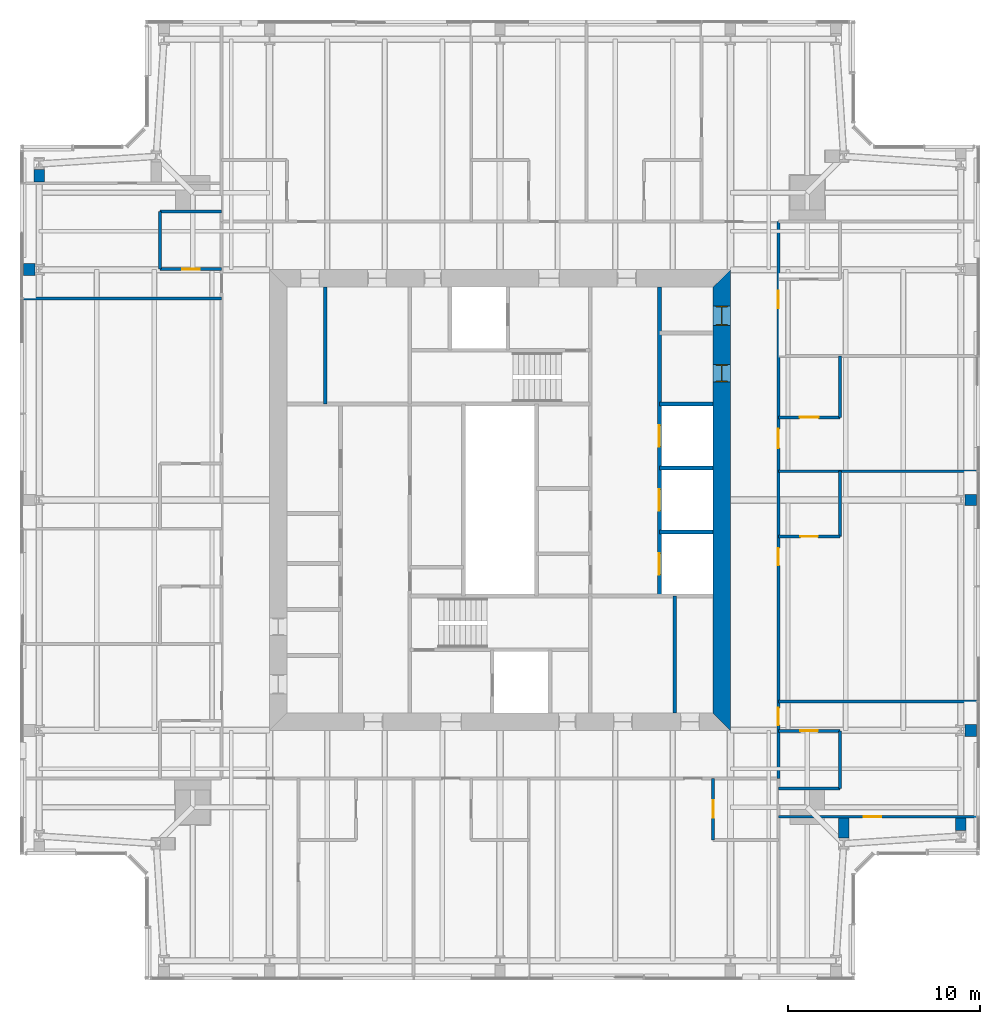
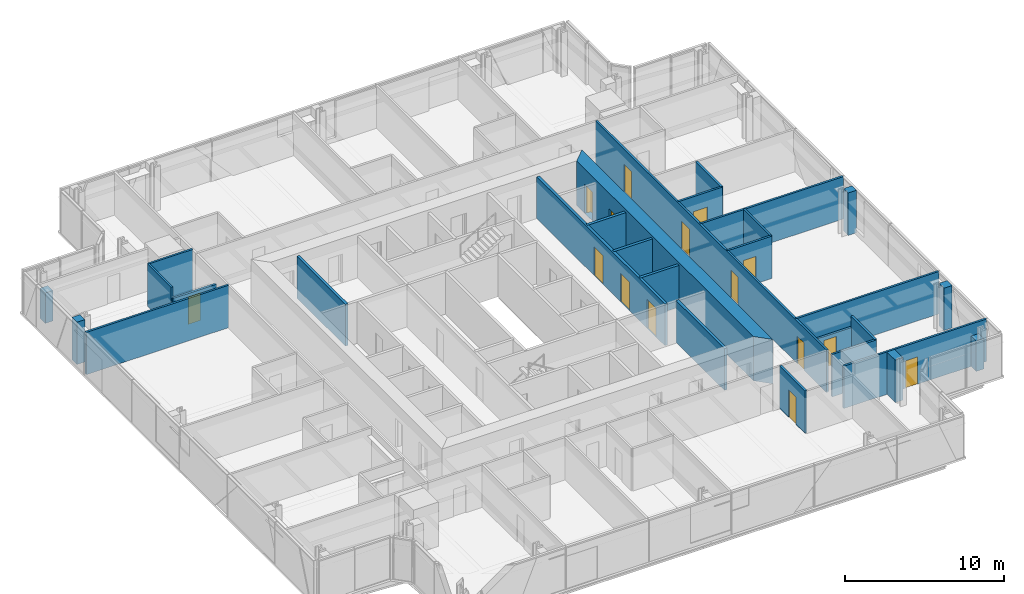
# One storey, part 13 of 20: 29 walls, 15 doors, 15 openings.
"""IFC4 building model written with IfcOpenShell, lengths in metres."""

from ifc_helpers import new_model, si_unit, direction, frame, frame_2d, origin, place, context, subcontext, project, spatial, polyline, rectangle, outline, extrude, material, layer, layer_set, type_object, element, fill, save


model = new_model("IFC4")

# Units and contexts
model_context = context("Model", 3, precision=1e-05, world=origin(), true_north=direction((0.0, 1.0)))
body_context = subcontext(model_context, "Body", "Model", "MODEL_VIEW")
ifc_project = project(units=[si_unit("LENGTHUNIT", "METRE"), si_unit("AREAUNIT", "SQUARE_METRE"), si_unit("VOLUMEUNIT", "CUBIC_METRE"), si_unit("PLANEANGLEUNIT", "RADIAN"), si_unit("MASSUNIT", "GRAM", prefix="KILO")], contexts=[model_context])

# Site, building, storey
site_placement = place(None, origin())
site = spatial("IfcSite", under=ifc_project, at=site_placement, CompositionType="ELEMENT")
building_placement = place(site_placement, origin())
building = spatial("IfcBuilding", under=site, at=building_placement, Name="Fenwick Lantern Interchange", CompositionType="ELEMENT")
storey_placement = place(building_placement, frame((0.0, 0.0, 286.60009765625)))
storey = spatial("IfcBuildingStorey", under=building, at=storey_placement, Name="L69", CompositionType="ELEMENT", Elevation=286.60009765625)

# Walls
ifc_material_1 = material(Name="Fire-rated gypsum board encasement on steel studs, 2 hour", Category="steel")
ifc_layer_1 = layer(ifc_material_1, 0.554931640625)
ifc_layer_set_1 = layer_set([ifc_layer_1], Name="COLUMN PIER 555")
wall_type_1 = type_object("IfcWallType", Name="COLUMN PIER 555", PredefinedType="PARTITIONING", material=ifc_layer_set_1)
wall_1_placement = place(storey_placement, frame((42.89990234375, 8.425048828125, 0.0), z_axis=(0.0, 0.0, 1.0), x_axis=(0.0, -1.0, 0.0)))
element("IfcWall", 1, at=wall_1_placement, inside=storey, type_object=wall_type_1, Name="L69/W/PIER/CSR", PredefinedType="PARTITIONING", context=body_context, shape_type="SweptSolid", body=[
    extrude(rectangle(XDim=1.04052734375, YDim=0.554931640625, at=frame_2d((0.520263671875, 0.0))), origin(), (0.0, 0.0, 1.0), 3.25),
])
for number, where, z_axis, x_axis, name in (
    (2, (49.0, 8.425048828125, 0.0), (0.0, 0.0, 1.0), (0.0, -1.0, 0.0), "L69/W/PIER/CE1"),
    (3, (1.0, 41.574951171875, 0.0), (0.0, 0.0, 1.0), (0.0, 1.0, 0.0), "L69/W/PIER/CW1"),
):
    element("IfcWall", number, at=place(storey_placement, frame(where, z_axis=z_axis, x_axis=x_axis)), inside=storey, type_object=wall_type_1, Name=name, PredefinedType="PARTITIONING", context=body_context, shape_type="SweptSolid", body=[
        extrude(rectangle(XDim=0.640625, YDim=0.554931640625, at=frame_2d((0.3203125, 0.0))), origin(), (0.0, 0.0, 1.0), 2.338134765625),
    ])
ifc_layer_2 = layer(ifc_material_1, 0.574951171875)
ifc_layer_set_2 = layer_set([ifc_layer_2], Name="COLUMN PIER 575")
wall_type_2 = type_object("IfcWallType", Name="COLUMN PIER 575", PredefinedType="PARTITIONING", material=ifc_layer_set_2)
wall_2_placement = place(storey_placement, frame((49.81005859375, 25.0, 0.0), z_axis=(0.0, 0.0, 1.0), x_axis=(-1.0, 0.0, 0.0)))
element("IfcWall", 4, at=wall_2_placement, inside=storey, type_object=wall_type_2, Name="L69/W/PIER/CE3", PredefinedType="PARTITIONING", context=body_context, shape_type="SweptSolid", body=[
    extrude(rectangle(XDim=0.597900390625, YDim=0.574951171875, at=frame_2d((0.298828125, 0.0))), origin(), (0.0, 0.0, 1.0), 3.25),
])
ifc_layer_3 = layer(ifc_material_1, 0.631103515625)
ifc_layer_set_3 = layer_set([ifc_layer_3], Name="COLUMN PIER 631")
wall_type_3 = type_object("IfcWallType", Name="COLUMN PIER 631", PredefinedType="PARTITIONING", material=ifc_layer_set_3)
for number, where, z_axis, x_axis, name in (
    (5, (49.81005859375, 13.0, 0.0), (0.0, 0.0, 1.0), (-1.0, 0.0, 0.0), "L69/W/PIER/CE2"),
    (6, (0.18994140625, 37.0, 0.0), (0.0, 0.0, 1.0), (1.0, 0.0, 0.0), "L69/W/PIER/CW2"),
):
    element("IfcWall", number, at=place(storey_placement, frame(where, z_axis=z_axis, x_axis=x_axis)), inside=storey, type_object=wall_type_3, Name=name, PredefinedType="PARTITIONING", context=body_context, shape_type="SweptSolid", body=[
        extrude(rectangle(XDim=0.589111328125, YDim=0.631103515625, at=frame_2d((0.29443359375, 0.0))), origin(), (0.0, 0.0, 1.0), 3.25),
    ])
ifc_material_2 = material(Name="Concrete masonry ASTM C90 Grade N", Category="masonry")
ifc_layer_4 = layer(ifc_material_2, 0.199951171875)
ifc_layer_set_4 = layer_set([ifc_layer_4], Name="Concrete masonry ASTM C90 Grade N")
wall_type_4 = type_object("IfcWallType", Name="CORE PARTITION 200", PredefinedType="PARTITIONING", material=ifc_layer_set_4)
wall_3_placement = place(storey_placement, frame((34.10009765625, 13.89990234375, 0.0), z_axis=(0.0, 0.0, 1.0), x_axis=(0.0, 1.0, 0.0)))
element("IfcWall", 7, at=wall_3_placement, inside=storey, type_object=wall_type_4, Name="L69/W/CORES/i2", PredefinedType="PARTITIONING", context=body_context, shape_type="SweptSolid", body=[
    extrude(rectangle(XDim=6.10009765625, YDim=0.199951171875, at=frame_2d((3.050048828125, 0.0))), origin(), (0.0, 0.0, 1.0), 3.199951171875),
])

# Wall, openings, doors
wall_4_placement = place(storey_placement, frame((33.300048828125, 36.10009765625, 0.0), z_axis=(0.0, 0.0, 1.0), x_axis=(0.0, -1.0, 0.0)))
wall_4 = element("IfcWall", 8, at=wall_4_placement, inside=storey, type_object=wall_type_4, Name="L69/W/COREN/a", PredefinedType="PARTITIONING", context=body_context, shape_type="SweptSolid", body=[
    extrude(rectangle(XDim=16.10009765625, YDim=0.199951171875, at=frame_2d((8.050048828125, 0.0))), origin(), (0.0, 0.0, 1.0), 3.199951171875),
])
opening_1_placement = place(wall_4_placement, frame((7.216552734375, 0.0, 0.0)))
opening_1 = element("IfcOpeningElement", 9, at=opening_1_placement, cuts=wall_4, Name="Opening LD-E1-1", PredefinedType="OPENING", context=body_context, shape_type="SweptSolid", body=[
    extrude(rectangle(XDim=1.10009765625, YDim=2.199951171875, at=frame_2d((0.550048828125, 1.10009765625))), frame((0.0, 0.10986328125, 0.0), z_axis=(0.0, -1.0, 0.0), x_axis=(1.0, 0.0, 0.0)), (0.0, 0.0, 1.0), 0.219970703125),
])
opening_2_placement = place(wall_4_placement, frame((10.550048828125, 0.0, 0.0)))
opening_2 = element("IfcOpeningElement", 10, at=opening_2_placement, cuts=wall_4, Name="Opening LD-E1-2", PredefinedType="OPENING", context=body_context, shape_type="SweptSolid", body=[
    extrude(rectangle(XDim=1.10009765625, YDim=2.199951171875, at=frame_2d((0.550048828125, 1.10009765625))), frame((0.0, 0.10986328125, 0.0), z_axis=(0.0, -1.0, 0.0), x_axis=(1.0, 0.0, 0.0)), (0.0, 0.0, 1.0), 0.219970703125),
])
opening_3_placement = place(wall_4_placement, frame((13.88330078125, 0.0, 0.0)))
opening_3 = element("IfcOpeningElement", 11, at=opening_3_placement, cuts=wall_4, Name="Opening LD-E1-3", PredefinedType="OPENING", context=body_context, shape_type="SweptSolid", body=[
    extrude(rectangle(XDim=1.10009765625, YDim=2.199951171875, at=frame_2d((0.550048828125, 1.10009765625))), frame((0.0, 0.10986328125, 0.0), z_axis=(0.0, -1.0, 0.0), x_axis=(1.0, 0.0, 0.0)), (0.0, 0.0, 1.0), 0.219970703125),
])
ifc_material_3 = material(Name="Steel door and frame", Category="steel")
door_type_1 = type_object("IfcDoorType", Name="LIFT LANDING DOOR 1100 X 2200", OperationType="DOUBLE_DOOR_SLIDING", PredefinedType="DOOR", material=ifc_material_3)
door_1_placement = place(opening_1_placement, origin())
door_1 = element("IfcDoor", 12, at=door_1_placement, inside=storey, type_object=door_type_1, Name="Lift landing door E1-1", OperationType="DOUBLE_DOOR_SLIDING", OverallHeight=2.199951171875, OverallWidth=1.10009765625, PredefinedType="DOOR", context=body_context, shape_type="SweptSolid", body=[
    extrude(rectangle(XDim=1.10009765625, YDim=2.199951171875, at=frame_2d((0.550048828125, 1.10009765625))), frame((0.0, 0.02490234375, 0.0), z_axis=(0.0, -1.0, 0.0), x_axis=(1.0, 0.0, 0.0)), (0.0, 0.0, 1.0), 0.050048828125),
])
fill(opening_1, door_1)
door_2_placement = place(opening_2_placement, origin())
door_2 = element("IfcDoor", 13, at=door_2_placement, inside=storey, type_object=door_type_1, Name="Lift landing door E1-2", OperationType="DOUBLE_DOOR_SLIDING", OverallHeight=2.199951171875, OverallWidth=1.10009765625, PredefinedType="DOOR", context=body_context, shape_type="SweptSolid", body=[
    extrude(rectangle(XDim=1.10009765625, YDim=2.199951171875, at=frame_2d((0.550048828125, 1.10009765625))), frame((0.0, 0.02490234375, 0.0), z_axis=(0.0, -1.0, 0.0), x_axis=(1.0, 0.0, 0.0)), (0.0, 0.0, 1.0), 0.050048828125),
])
fill(opening_2, door_2)
door_3_placement = place(opening_3_placement, origin())
door_3 = element("IfcDoor", 14, at=door_3_placement, inside=storey, type_object=door_type_1, Name="Lift landing door E1-3", OperationType="DOUBLE_DOOR_SLIDING", OverallHeight=2.199951171875, OverallWidth=1.10009765625, PredefinedType="DOOR", context=body_context, shape_type="SweptSolid", body=[
    extrude(rectangle(XDim=1.10009765625, YDim=2.199951171875, at=frame_2d((0.550048828125, 1.10009765625))), frame((0.0, 0.02490234375, 0.0), z_axis=(0.0, -1.0, 0.0), x_axis=(1.0, 0.0, 0.0)), (0.0, 0.0, 1.0), 0.050048828125),
])
fill(opening_3, door_3)

# Walls
for number, where, z_axis, x_axis, name in (
    (15, (36.10009765625, 30.0, 0.0), (0.0, 0.0, 1.0), (-1.0, 0.0, 0.0), "L69/W/COREN/c2"),
    (16, (36.10009765625, 26.666748046875, 0.0), (0.0, 0.0, 1.0), (-1.0, 0.0, 0.0), "L69/W/COREN/d1"),
    (17, (36.10009765625, 23.333251953125, 0.0), (0.0, 0.0, 1.0), (-1.0, 0.0, 0.0), "L69/W/COREN/d2"),
):
    element("IfcWall", number, at=place(storey_placement, frame(where, z_axis=z_axis, x_axis=x_axis)), inside=storey, type_object=wall_type_4, Name=name, PredefinedType="PARTITIONING", context=body_context, shape_type="SweptSolid", body=[
        extrude(rectangle(XDim=2.800048828125, YDim=0.199951171875, at=frame_2d((1.39990234375, 0.0))), origin(), (0.0, 0.0, 1.0), 3.199951171875),
    ])
wall_5_placement = place(storey_placement, frame((15.89990234375, 36.10009765625, 0.0), z_axis=(0.0, 0.0, 1.0), x_axis=(0.0, -1.0, 0.0)))
element("IfcWall", 18, at=wall_5_placement, inside=storey, type_object=wall_type_4, Name="L69/W/COREN/i2", PredefinedType="PARTITIONING", context=body_context, shape_type="SweptSolid", body=[
    extrude(rectangle(XDim=6.10009765625, YDim=0.199951171875, at=frame_2d((3.050048828125, 0.0))), origin(), (0.0, 0.0, 1.0), 3.199951171875),
])

# Wall, openings, doors
ifc_material_4 = material(Name="Concrete f'c 70 MPa", Category="concrete")
ifc_layer_5 = layer(ifc_material_4, 0.89990234375)
ifc_layer_set_5 = layer_set([ifc_layer_5], Name="CORE WALL 900")
wall_type_5 = type_object("IfcWallType", Name="CORE WALL 900", PredefinedType="SHEAR", material=ifc_layer_set_5)
wall_6_placement = place(storey_placement, frame((36.550048828125, 13.89990234375, 0.0), z_axis=(0.0, 0.0, 1.0), x_axis=(0.0, 1.0, 0.0)))
wall_6 = element("IfcWall", 19, at=wall_6_placement, inside=storey, type_object=wall_type_5, Name="L69/CORE/E", PredefinedType="SHEAR", context=body_context, shape_type="SweptSolid", body=[
    extrude(outline(polyline([(-0.89990234375, -0.449951171875), (23.10009765625, -0.449951171875), (22.199951171875, 0.449951171875), (0.0, 0.449951171875), (-0.89990234375, -0.449951171875)])), origin(), (0.0, 0.0, 1.0), 3.39990234375),
])
opening_4_placement = place(wall_6_placement, frame((20.199951171875, 0.0, 0.0)))
opening_4 = element("IfcOpeningElement", 20, at=opening_4_placement, cuts=wall_6, Name="Opening L69-D020", PredefinedType="OPENING", context=body_context, shape_type="SweptSolid", body=[
    extrude(rectangle(XDim=1.0, YDim=2.199951171875, at=frame_2d((0.5, 1.10009765625))), frame((0.0, 0.4599609375, 0.0), z_axis=(0.0, -1.0, 0.0), x_axis=(1.0, 0.0, 0.0)), (0.0, 0.0, 1.0), 0.919921875),
])
opening_5_placement = place(wall_6_placement, frame((17.25, 0.0, 0.0)))
opening_5 = element("IfcOpeningElement", 21, at=opening_5_placement, cuts=wall_6, Name="Opening L69-D021", PredefinedType="OPENING", context=body_context, shape_type="SweptSolid", body=[
    extrude(rectangle(XDim=0.89990234375, YDim=2.199951171875, at=frame_2d((0.449951171875, 1.10009765625))), frame((0.0, 0.4599609375, 0.0), z_axis=(0.0, -1.0, 0.0), x_axis=(1.0, 0.0, 0.0)), (0.0, 0.0, 1.0), 0.919921875),
])
door_type_2 = type_object("IfcDoorType", Name="SERVICE DOOR 1000 X 2200", OperationType="SINGLE_SWING_LEFT", PredefinedType="DOOR", material=ifc_material_3)
door_4_placement = place(opening_4_placement, origin())
door_4 = element("IfcDoor", 22, at=door_4_placement, inside=storey, type_object=door_type_2, Name="Service door", OperationType="SINGLE_SWING_LEFT", OverallHeight=2.199951171875, OverallWidth=1.0, PredefinedType="DOOR", context=body_context, shape_type="SweptSolid", body=[
    extrude(rectangle(XDim=1.0, YDim=2.199951171875, at=frame_2d((0.5, 1.10009765625))), frame((0.0, 0.02490234375, 0.0), z_axis=(0.0, -1.0, 0.0), x_axis=(1.0, 0.0, 0.0)), (0.0, 0.0, 1.0), 0.050048828125),
    extrude(outline(polyline([(0.0, 0.0), (0.0400390625, 0.0), (0.0400390625, 2.159912109375), (0.9599609375, 2.159912109375), (0.9599609375, 0.0), (1.0, 0.0), (1.0, 2.199951171875), (0.0, 2.199951171875), (0.0, 0.0)])), frame((0.0, 0.300048828125, 0.0), z_axis=(0.0, -1.0, 0.0), x_axis=(1.0, 0.0, 0.0)), (0.0, 0.0, 1.0), 0.60009765625),
])
fill(opening_4, door_4)
door_type_3 = type_object("IfcDoorType", Name="SERVICE DOOR 900 X 2200", OperationType="SINGLE_SWING_LEFT", PredefinedType="DOOR", material=ifc_material_3)
door_5_placement = place(opening_5_placement, origin())
door_5 = element("IfcDoor", 23, at=door_5_placement, inside=storey, type_object=door_type_3, Name="Service door", OperationType="SINGLE_SWING_LEFT", OverallHeight=2.199951171875, OverallWidth=0.89990234375, PredefinedType="DOOR", context=body_context, shape_type="SweptSolid", body=[
    extrude(rectangle(XDim=0.89990234375, YDim=2.199951171875, at=frame_2d((0.449951171875, 1.10009765625))), frame((0.0, 0.02490234375, 0.0), z_axis=(0.0, -1.0, 0.0), x_axis=(1.0, 0.0, 0.0)), (0.0, 0.0, 1.0), 0.050048828125),
    extrude(outline(polyline([(0.0, 0.0), (0.0400390625, 0.0), (0.0400390625, 2.159912109375), (0.85986328125, 2.159912109375), (0.85986328125, 0.0), (0.89990234375, 0.0), (0.89990234375, 2.199951171875), (0.0, 2.199951171875), (0.0, 0.0)])), frame((0.0, 0.300048828125, 0.0), z_axis=(0.0, -1.0, 0.0), x_axis=(1.0, 0.0, 0.0)), (0.0, 0.0, 1.0), 0.60009765625),
])
fill(opening_5, door_5)

ifc_material_5 = material(Name="Gypsum board on steel studs, 1 hour", Category="steel")
ifc_layer_6 = layer(ifc_material_5, 0.14990234375)
ifc_layer_set_6 = layer_set([ifc_layer_6], Name="CORRIDOR WALL 150")
wall_type_6 = type_object("IfcWallType", Name="CORRIDOR WALL 150", PredefinedType="PARTITIONING", material=ifc_layer_set_6)
wall_7_placement = place(storey_placement, frame((39.5, 10.5, 0.0), z_axis=(0.0, 0.0, 1.0), x_axis=(0.0, 1.0, 0.0)))
wall_7 = element("IfcWall", 24, at=wall_7_placement, inside=storey, type_object=wall_type_6, Name="L69/W/HOTEL/E/CW", PredefinedType="PARTITIONING", context=body_context, shape_type="SweptSolid", body=[
    extrude(rectangle(XDim=29.0, YDim=0.14990234375, at=frame_2d((14.5, 0.0))), origin(), (0.0, 0.0, 1.0), 3.25),
])
opening_6_placement = place(wall_7_placement, frame((2.77490234375, 0.0, 0.0)))
opening_6 = element("IfcOpeningElement", 25, at=opening_6_placement, cuts=wall_7, Name="Opening L69-D034", PredefinedType="OPENING", context=body_context, shape_type="SweptSolid", body=[
    extrude(rectangle(XDim=0.89990234375, YDim=2.10009765625, at=frame_2d((0.449951171875, 1.050048828125))), frame((0.0, 0.0849609375, 0.0), z_axis=(0.0, -1.0, 0.0), x_axis=(1.0, 0.0, 0.0)), (0.0, 0.0, 1.0), 0.169921875),
])
opening_7_placement = place(wall_7_placement, frame((11.10009765625, 0.0, 0.0)))
opening_7 = element("IfcOpeningElement", 26, at=opening_7_placement, cuts=wall_7, Name="Opening L69-D036", PredefinedType="OPENING", context=body_context, shape_type="SweptSolid", body=[
    extrude(rectangle(XDim=0.89990234375, YDim=2.10009765625, at=frame_2d((0.449951171875, 1.050048828125))), frame((0.0, 0.0849609375, 0.0), z_axis=(0.0, -1.0, 0.0), x_axis=(1.0, 0.0, 0.0)), (0.0, 0.0, 1.0), 0.169921875),
])
opening_8_placement = place(wall_7_placement, frame((17.199951171875, 0.0, 0.0)))
opening_8 = element("IfcOpeningElement", 27, at=opening_8_placement, cuts=wall_7, Name="Opening L69-D038", PredefinedType="OPENING", context=body_context, shape_type="SweptSolid", body=[
    extrude(rectangle(XDim=1.0, YDim=2.10009765625, at=frame_2d((0.5, 1.050048828125))), frame((0.0, 0.0849609375, 0.0), z_axis=(0.0, -1.0, 0.0), x_axis=(1.0, 0.0, 0.0)), (0.0, 0.0, 1.0), 0.169921875),
])
opening_9_placement = place(wall_7_placement, frame((24.5, 0.0, 0.0)))
opening_9 = element("IfcOpeningElement", 28, at=opening_9_placement, cuts=wall_7, Name="Opening L69-D040", PredefinedType="OPENING", context=body_context, shape_type="SweptSolid", body=[
    extrude(rectangle(XDim=0.89990234375, YDim=2.10009765625, at=frame_2d((0.449951171875, 1.050048828125))), frame((0.0, 0.0849609375, 0.0), z_axis=(0.0, -1.0, 0.0), x_axis=(1.0, 0.0, 0.0)), (0.0, 0.0, 1.0), 0.169921875),
])
door_type_4 = type_object("IfcDoorType", Name="GUEST ROOM DOOR 1000 X 2100", OperationType="SINGLE_SWING_LEFT", PredefinedType="DOOR", material=ifc_material_3)
door_6_placement = place(opening_8_placement, frame((1.0, 0.0, 0.0), z_axis=(0.0, 0.0, 1.0), x_axis=(-1.0, 0.0, 0.0)))
door_6 = element("IfcDoor", 29, at=door_6_placement, inside=storey, type_object=door_type_4, Name="Guest room door", OperationType="SINGLE_SWING_LEFT", OverallHeight=2.10009765625, OverallWidth=1.0, PredefinedType="DOOR", context=body_context, shape_type="SweptSolid", body=[
    extrude(rectangle(XDim=1.0, YDim=2.10009765625, at=frame_2d((0.5, 1.050048828125))), frame((0.0, 0.02490234375, 0.0), z_axis=(0.0, -1.0, 0.0), x_axis=(1.0, 0.0, 0.0)), (0.0, 0.0, 1.0), 0.050048828125),
])
fill(opening_8, door_6)
door_type_5 = type_object("IfcDoorType", Name="GUEST ROOM DOOR 900 X 2100", OperationType="SINGLE_SWING_LEFT", PredefinedType="DOOR", material=ifc_material_3)
door_7_placement = place(opening_6_placement, frame((0.89990234375, 0.0, 0.0), z_axis=(0.0, 0.0, 1.0), x_axis=(-1.0, 0.0, 0.0)))
door_7 = element("IfcDoor", 30, at=door_7_placement, inside=storey, type_object=door_type_5, Name="Guest room door", OperationType="SINGLE_SWING_RIGHT", OverallHeight=2.10009765625, OverallWidth=0.89990234375, PredefinedType="DOOR", context=body_context, shape_type="SweptSolid", body=[
    extrude(rectangle(XDim=0.89990234375, YDim=2.10009765625, at=frame_2d((0.449951171875, 1.050048828125))), frame((0.0, 0.02490234375, 0.0), z_axis=(0.0, -1.0, 0.0), x_axis=(1.0, 0.0, 0.0)), (0.0, 0.0, 1.0), 0.050048828125),
])
fill(opening_6, door_7)
door_8_placement = place(opening_7_placement, frame((0.89990234375, 0.0, 0.0), z_axis=(0.0, 0.0, 1.0), x_axis=(-1.0, 0.0, 0.0)))
door_8 = element("IfcDoor", 31, at=door_8_placement, inside=storey, type_object=door_type_5, Name="Guest room door", OperationType="SINGLE_SWING_LEFT", OverallHeight=2.10009765625, OverallWidth=0.89990234375, PredefinedType="DOOR", context=body_context, shape_type="SweptSolid", body=[
    extrude(rectangle(XDim=0.89990234375, YDim=2.10009765625, at=frame_2d((0.449951171875, 1.050048828125))), frame((0.0, 0.02490234375, 0.0), z_axis=(0.0, -1.0, 0.0), x_axis=(1.0, 0.0, 0.0)), (0.0, 0.0, 1.0), 0.050048828125),
])
fill(opening_7, door_8)
door_9_placement = place(opening_9_placement, frame((0.89990234375, 0.0, 0.0), z_axis=(0.0, 0.0, 1.0), x_axis=(-1.0, 0.0, 0.0)))
door_9 = element("IfcDoor", 32, at=door_9_placement, inside=storey, type_object=door_type_5, Name="Guest room door", OperationType="SINGLE_SWING_LEFT", OverallHeight=2.10009765625, OverallWidth=0.89990234375, PredefinedType="DOOR", context=body_context, shape_type="SweptSolid", body=[
    extrude(rectangle(XDim=0.89990234375, YDim=2.10009765625, at=frame_2d((0.449951171875, 1.050048828125))), frame((0.0, 0.02490234375, 0.0), z_axis=(0.0, -1.0, 0.0), x_axis=(1.0, 0.0, 0.0)), (0.0, 0.0, 1.0), 0.050048828125),
])
fill(opening_9, door_9)

# Wall, opening, door
ifc_material_6 = material(Name="Gypsum board on steel studs, moisture resistant", Category="steel")
ifc_layer_7 = layer(ifc_material_6, 0.14990234375)
ifc_layer_set_7 = layer_set([ifc_layer_7], Name="EN-SUITE WALL 150")
wall_type_7 = type_object("IfcWallType", Name="EN-SUITE WALL 150", PredefinedType="PARTITIONING", material=ifc_layer_set_7)
wall_8_placement = place(storey_placement, frame((36.10009765625, 7.300048828125, 0.0), z_axis=(0.0, 0.0, 1.0), x_axis=(0.0, 1.0, 0.0)))
wall_8 = element("IfcWall", 33, at=wall_8_placement, inside=storey, type_object=wall_type_7, Name="L69/W/HOTEL/S/U3BX", PredefinedType="PARTITIONING", context=body_context, shape_type="SweptSolid", body=[
    extrude(rectangle(XDim=3.199951171875, YDim=0.14990234375, at=frame_2d((1.60009765625, 0.0))), origin(), (0.0, 0.0, 1.0), 3.25),
])
opening_10_placement = place(wall_8_placement, frame((1.14990234375, 0.0, 0.0)))
opening_10 = element("IfcOpeningElement", 34, at=opening_10_placement, cuts=wall_8, Name="Opening L69-D030", PredefinedType="OPENING", context=body_context, shape_type="SweptSolid", body=[
    extrude(rectangle(XDim=0.89990234375, YDim=2.10009765625, at=frame_2d((0.449951171875, 1.050048828125))), frame((0.0, 0.0849609375, 0.0), z_axis=(0.0, -1.0, 0.0), x_axis=(1.0, 0.0, 0.0)), (0.0, 0.0, 1.0), 0.169921875),
])
ifc_material_7 = material(Name="Hardwood door and steel frame", Category="steel")
door_type_6 = type_object("IfcDoorType", Name="EN-SUITE DOOR 900 X 2100", OperationType="SINGLE_SWING_LEFT", PredefinedType="DOOR", material=ifc_material_7)
door_10_placement = place(opening_10_placement, frame((0.89990234375, 0.0, 0.0), z_axis=(0.0, 0.0, 1.0), x_axis=(-1.0, 0.0, 0.0)))
door_10 = element("IfcDoor", 35, at=door_10_placement, inside=storey, type_object=door_type_6, Name="En-suite door", OperationType="SINGLE_SWING_RIGHT", OverallHeight=2.10009765625, OverallWidth=0.89990234375, PredefinedType="DOOR", context=body_context, shape_type="SweptSolid", body=[
    extrude(rectangle(XDim=0.89990234375, YDim=2.10009765625, at=frame_2d((0.449951171875, 1.050048828125))), frame((0.0, 0.02490234375, 0.0), z_axis=(0.0, -1.0, 0.0), x_axis=(1.0, 0.0, 0.0)), (0.0, 0.0, 1.0), 0.050048828125),
])
fill(opening_10, door_10)

# Wall
wall_9_placement = place(storey_placement, frame((42.699951171875, 9.97509765625, 0.0), z_axis=(0.0, 0.0, 1.0), x_axis=(0.0, 1.0, 0.0)))
element("IfcWall", 36, at=wall_9_placement, inside=storey, type_object=wall_type_7, Name="L69/W/HOTEL/E/U1BW", PredefinedType="PARTITIONING", context=body_context, shape_type="SweptSolid", body=[
    extrude(rectangle(XDim=3.0, YDim=0.14990234375, at=frame_2d((1.5, 0.0))), origin(), (0.0, 0.0, 1.0), 3.25),
])

# Wall, opening, door
wall_10_placement = place(storey_placement, frame((42.699951171875, 12.97509765625, 0.0), z_axis=(0.0, 0.0, 1.0), x_axis=(-1.0, 0.0, 0.0)))
wall_10 = element("IfcWall", 37, at=wall_10_placement, inside=storey, type_object=wall_type_7, Name="L69/W/HOTEL/E/U1BX", PredefinedType="PARTITIONING", context=body_context, shape_type="SweptSolid", body=[
    extrude(rectangle(XDim=3.199951171875, YDim=0.14990234375, at=frame_2d((1.60009765625, 0.0))), origin(), (0.0, 0.0, 1.0), 2.404052734375),
])
opening_11_placement = place(wall_10_placement, frame((1.14990234375, 0.0, 0.0)))
opening_11 = element("IfcOpeningElement", 38, at=opening_11_placement, cuts=wall_10, Name="Opening L69-D032", PredefinedType="OPENING", context=body_context, shape_type="SweptSolid", body=[
    extrude(rectangle(XDim=0.89990234375, YDim=2.10009765625, at=frame_2d((0.449951171875, 1.050048828125))), frame((0.0, 0.0849609375, 0.0), z_axis=(0.0, -1.0, 0.0), x_axis=(1.0, 0.0, 0.0)), (0.0, 0.0, 1.0), 0.169921875),
])
door_11_placement = place(opening_11_placement, origin())
door_11 = element("IfcDoor", 39, at=door_11_placement, inside=storey, type_object=door_type_6, Name="En-suite door", OperationType="SINGLE_SWING_LEFT", OverallHeight=2.10009765625, OverallWidth=0.89990234375, PredefinedType="DOOR", context=body_context, shape_type="SweptSolid", body=[
    extrude(rectangle(XDim=0.89990234375, YDim=2.10009765625, at=frame_2d((0.449951171875, 1.050048828125))), frame((0.0, 0.02490234375, 0.0), z_axis=(0.0, -1.0, 0.0), x_axis=(1.0, 0.0, 0.0)), (0.0, 0.0, 1.0), 0.050048828125),
])
fill(opening_11, door_11)

# Walls
wall_11_placement = place(storey_placement, frame((42.699951171875, 9.97509765625, 0.0), z_axis=(0.0, 0.0, 1.0), x_axis=(-1.0, 0.0, 0.0)))
element("IfcWall", 40, at=wall_11_placement, inside=storey, type_object=wall_type_7, Name="L69/W/HOTEL/E/U1BV", PredefinedType="PARTITIONING", context=body_context, shape_type="SweptSolid", body=[
    extrude(rectangle(XDim=3.199951171875, YDim=0.14990234375, at=frame_2d((1.60009765625, 0.0))), origin(), (0.0, 0.0, 1.0), 3.25),
])
wall_12_placement = place(storey_placement, frame((42.699951171875, 23.10009765625, 0.0), z_axis=(0.0, 0.0, 1.0), x_axis=(0.0, 1.0, 0.0)))
element("IfcWall", 41, at=wall_12_placement, inside=storey, type_object=wall_type_7, Name="L69/W/HOTEL/E/U2BW", PredefinedType="PARTITIONING", context=body_context, shape_type="SweptSolid", body=[
    extrude(rectangle(XDim=3.39990234375, YDim=0.14990234375, at=frame_2d((1.699951171875, 0.0))), origin(), (0.0, 0.0, 1.0), 3.25),
])

# Wall, opening, door
wall_13_placement = place(storey_placement, frame((42.699951171875, 23.10009765625, 0.0), z_axis=(0.0, 0.0, 1.0), x_axis=(-1.0, 0.0, 0.0)))
wall_13 = element("IfcWall", 42, at=wall_13_placement, inside=storey, type_object=wall_type_7, Name="L69/W/HOTEL/E/U2BX", PredefinedType="PARTITIONING", context=body_context, shape_type="SweptSolid", body=[
    extrude(rectangle(XDim=3.199951171875, YDim=0.14990234375, at=frame_2d((1.60009765625, 0.0))), origin(), (0.0, 0.0, 1.0), 3.25),
])
opening_12_placement = place(wall_13_placement, frame((1.14990234375, 0.0, 0.0)))
opening_12 = element("IfcOpeningElement", 43, at=opening_12_placement, cuts=wall_13, Name="Opening L69-D035", PredefinedType="OPENING", context=body_context, shape_type="SweptSolid", body=[
    extrude(rectangle(XDim=0.89990234375, YDim=2.10009765625, at=frame_2d((0.449951171875, 1.050048828125))), frame((0.0, 0.0849609375, 0.0), z_axis=(0.0, -1.0, 0.0), x_axis=(1.0, 0.0, 0.0)), (0.0, 0.0, 1.0), 0.169921875),
])
door_12_placement = place(opening_12_placement, frame((0.89990234375, 0.0, 0.0), z_axis=(0.0, 0.0, 1.0), x_axis=(-1.0, 0.0, 0.0)))
door_12 = element("IfcDoor", 44, at=door_12_placement, inside=storey, type_object=door_type_6, Name="En-suite door", OperationType="SINGLE_SWING_RIGHT", OverallHeight=2.10009765625, OverallWidth=0.89990234375, PredefinedType="DOOR", context=body_context, shape_type="SweptSolid", body=[
    extrude(rectangle(XDim=0.89990234375, YDim=2.10009765625, at=frame_2d((0.449951171875, 1.050048828125))), frame((0.0, 0.02490234375, 0.0), z_axis=(0.0, -1.0, 0.0), x_axis=(1.0, 0.0, 0.0)), (0.0, 0.0, 1.0), 0.050048828125),
])
fill(opening_12, door_12)

# Wall
wall_14_placement = place(storey_placement, frame((42.699951171875, 29.300048828125, 0.0), z_axis=(0.0, 0.0, 1.0), x_axis=(0.0, 1.0, 0.0)))
element("IfcWall", 45, at=wall_14_placement, inside=storey, type_object=wall_type_7, Name="L69/W/HOTEL/E/U3BW", PredefinedType="PARTITIONING", context=body_context, shape_type="SweptSolid", body=[
    extrude(rectangle(XDim=3.199951171875, YDim=0.14990234375, at=frame_2d((1.60009765625, 0.0))), origin(), (0.0, 0.0, 1.0), 3.25),
])

# Wall, opening, door
wall_15_placement = place(storey_placement, frame((42.699951171875, 29.300048828125, 0.0), z_axis=(0.0, 0.0, 1.0), x_axis=(-1.0, 0.0, 0.0)))
wall_15 = element("IfcWall", 46, at=wall_15_placement, inside=storey, type_object=wall_type_7, Name="L69/W/HOTEL/E/U3BX", PredefinedType="PARTITIONING", context=body_context, shape_type="SweptSolid", body=[
    extrude(rectangle(XDim=3.199951171875, YDim=0.14990234375, at=frame_2d((1.60009765625, 0.0))), origin(), (0.0, 0.0, 1.0), 3.25),
])
opening_13_placement = place(wall_15_placement, frame((1.10009765625, 0.0, 0.0)))
opening_13 = element("IfcOpeningElement", 47, at=opening_13_placement, cuts=wall_15, Name="Opening L69-D037", PredefinedType="OPENING", context=body_context, shape_type="SweptSolid", body=[
    extrude(rectangle(XDim=1.0, YDim=2.10009765625, at=frame_2d((0.5, 1.050048828125))), frame((0.0, 0.0849609375, 0.0), z_axis=(0.0, -1.0, 0.0), x_axis=(1.0, 0.0, 0.0)), (0.0, 0.0, 1.0), 0.169921875),
])
door_type_7 = type_object("IfcDoorType", Name="EN-SUITE DOOR 1000 X 2100", OperationType="SINGLE_SWING_LEFT", PredefinedType="DOOR", material=ifc_material_7)
door_13_placement = place(opening_13_placement, frame((1.0, 0.0, 0.0), z_axis=(0.0, 0.0, 1.0), x_axis=(-1.0, 0.0, 0.0)))
door_13 = element("IfcDoor", 48, at=door_13_placement, inside=storey, type_object=door_type_7, Name="En-suite door", OperationType="SINGLE_SWING_RIGHT", OverallHeight=2.10009765625, OverallWidth=1.0, PredefinedType="DOOR", context=body_context, shape_type="SweptSolid", body=[
    extrude(rectangle(XDim=1.0, YDim=2.10009765625, at=frame_2d((0.5, 1.050048828125))), frame((0.0, 0.02490234375, 0.0), z_axis=(0.0, -1.0, 0.0), x_axis=(1.0, 0.0, 0.0)), (0.0, 0.0, 1.0), 0.050048828125),
])
fill(opening_13, door_13)

# Wall
wall_16_placement = place(storey_placement, frame((7.300048828125, 40.02490234375, 0.0), z_axis=(0.0, 0.0, 1.0), x_axis=(0.0, -1.0, 0.0)))
element("IfcWall", 49, at=wall_16_placement, inside=storey, type_object=wall_type_7, Name="L69/W/HOTEL/W/U1BW", PredefinedType="PARTITIONING", context=body_context, shape_type="SweptSolid", body=[
    extrude(rectangle(XDim=3.0, YDim=0.14990234375, at=frame_2d((1.5, 0.0))), origin(), (0.0, 0.0, 1.0), 3.25),
])

# Wall, opening, door
wall_17_placement = place(storey_placement, frame((7.300048828125, 37.02490234375, 0.0), z_axis=(0.0, 0.0, 1.0), x_axis=(1.0, 0.0, 0.0)))
wall_17 = element("IfcWall", 50, at=wall_17_placement, inside=storey, type_object=wall_type_7, Name="L69/W/HOTEL/W/U1BX", PredefinedType="PARTITIONING", context=body_context, shape_type="SweptSolid", body=[
    extrude(rectangle(XDim=3.199951171875, YDim=0.14990234375, at=frame_2d((1.60009765625, 0.0))), origin(), (0.0, 0.0, 1.0), 2.404052734375),
])
opening_14_placement = place(wall_17_placement, frame((1.14990234375, 0.0, 0.0)))
opening_14 = element("IfcOpeningElement", 51, at=opening_14_placement, cuts=wall_17, Name="Opening L69-D048", PredefinedType="OPENING", context=body_context, shape_type="SweptSolid", body=[
    extrude(rectangle(XDim=0.89990234375, YDim=2.10009765625, at=frame_2d((0.449951171875, 1.050048828125))), frame((0.0, 0.0849609375, 0.0), z_axis=(0.0, -1.0, 0.0), x_axis=(1.0, 0.0, 0.0)), (0.0, 0.0, 1.0), 0.169921875),
])
door_14_placement = place(opening_14_placement, origin())
door_14 = element("IfcDoor", 52, at=door_14_placement, inside=storey, type_object=door_type_6, Name="En-suite door", OperationType="SINGLE_SWING_LEFT", OverallHeight=2.10009765625, OverallWidth=0.89990234375, PredefinedType="DOOR", context=body_context, shape_type="SweptSolid", body=[
    extrude(rectangle(XDim=0.89990234375, YDim=2.10009765625, at=frame_2d((0.449951171875, 1.050048828125))), frame((0.0, 0.02490234375, 0.0), z_axis=(0.0, -1.0, 0.0), x_axis=(1.0, 0.0, 0.0)), (0.0, 0.0, 1.0), 0.050048828125),
])
fill(opening_14, door_14)

# Walls
wall_18_placement = place(storey_placement, frame((7.300048828125, 40.02490234375, 0.0), z_axis=(0.0, 0.0, 1.0), x_axis=(1.0, 0.0, 0.0)))
element("IfcWall", 53, at=wall_18_placement, inside=storey, type_object=wall_type_7, Name="L69/W/HOTEL/W/U1BV", PredefinedType="PARTITIONING", context=body_context, shape_type="SweptSolid", body=[
    extrude(rectangle(XDim=3.199951171875, YDim=0.14990234375, at=frame_2d((1.60009765625, 0.0))), origin(), (0.0, 0.0, 1.0), 3.25),
])
ifc_material_8 = material(Name="Gypsum board on steel studs, 1 hour acoustic", Category="steel")
ifc_layer_8 = layer(ifc_material_8, 0.14990234375)
ifc_layer_set_8 = layer_set([ifc_layer_8], Name="PARTY WALL 150")
wall_type_8 = type_object("IfcWallType", Name="PARTY WALL 150", PredefinedType="PARTITIONING", material=ifc_layer_set_8)
for number, where, z_axis, x_axis, name in (
    (54, (49.85009765625, 14.5, 0.0), (0.0, 0.0, 1.0), (-1.0, 0.0, 0.0), "L69/W/HOTEL/E/U2PW"),
    (55, (49.85009765625, 26.5, 0.0), (0.0, 0.0, 1.0), (-1.0, 0.0, 0.0), "L69/W/HOTEL/E/U3PW"),
    (56, (0.14990234375, 35.5, 0.0), (0.0, 0.0, 1.0), (1.0, 0.0, 0.0), "L69/W/HOTEL/W/U2PW"),
):
    element("IfcWall", number, at=place(storey_placement, frame(where, z_axis=z_axis, x_axis=x_axis)), inside=storey, type_object=wall_type_8, Name=name, PredefinedType="PARTITIONING", context=body_context, shape_type="SweptSolid", body=[
        extrude(rectangle(XDim=10.35009765625, YDim=0.14990234375, at=frame_2d((5.175048828125, 0.0))), origin(), (0.0, 0.0, 1.0), 3.25),
    ])

# Wall, opening, door
ifc_material_9 = material(Name="Gypsum board on steel studs, acoustic", Category="steel")
ifc_layer_9 = layer(ifc_material_9, 0.14990234375)
ifc_layer_set_9 = layer_set([ifc_layer_9], Name="SUITE PARTITION 150")
wall_type_9 = type_object("IfcWallType", Name="SUITE PARTITION 150", PredefinedType="PARTITIONING", material=ifc_layer_set_9)
wall_19_placement = place(storey_placement, frame((49.85009765625, 8.5, 0.0), z_axis=(0.0, 0.0, 1.0), x_axis=(-1.0, 0.0, 0.0)))
wall_19 = element("IfcWall", 57, at=wall_19_placement, inside=storey, type_object=wall_type_9, Name="L69/W/HOTEL/E/U1P", PredefinedType="PARTITIONING", context=body_context, shape_type="SweptSolid", body=[
    extrude(rectangle(XDim=10.35009765625, YDim=0.14990234375, at=frame_2d((5.175048828125, 0.0))), origin(), (0.0, 0.0, 1.0), 3.25),
])
opening_15_placement = place(wall_19_placement, frame((5.0, 0.0, 0.0)))
opening_15 = element("IfcOpeningElement", 58, at=opening_15_placement, cuts=wall_19, Name="Opening L69-D033", PredefinedType="OPENING", context=body_context, shape_type="SweptSolid", body=[
    extrude(rectangle(XDim=0.89990234375, YDim=2.10009765625, at=frame_2d((0.449951171875, 1.050048828125))), frame((0.0, 0.0849609375, 0.0), z_axis=(0.0, -1.0, 0.0), x_axis=(1.0, 0.0, 0.0)), (0.0, 0.0, 1.0), 0.169921875),
])
door_type_8 = type_object("IfcDoorType", Name="SUITE INTERNAL DOOR 900 X 2100", OperationType="SINGLE_SWING_LEFT", PredefinedType="DOOR", material=ifc_material_7)
door_15_placement = place(opening_15_placement, origin())
door_15 = element("IfcDoor", 59, at=door_15_placement, inside=storey, type_object=door_type_8, Name="Suite internal door", OperationType="SINGLE_SWING_RIGHT", OverallHeight=2.10009765625, OverallWidth=0.89990234375, PredefinedType="DOOR", context=body_context, shape_type="SweptSolid", body=[
    extrude(rectangle(XDim=0.89990234375, YDim=2.10009765625, at=frame_2d((0.449951171875, 1.050048828125))), frame((0.0, 0.02490234375, 0.0), z_axis=(0.0, -1.0, 0.0), x_axis=(1.0, 0.0, 0.0)), (0.0, 0.0, 1.0), 0.050048828125),
])
fill(opening_15, door_15)

save(model, "model.ifc")
